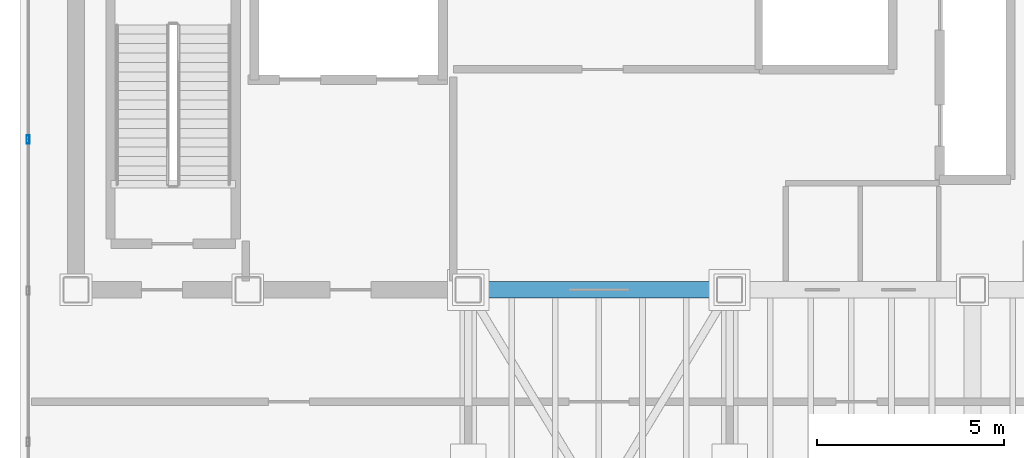
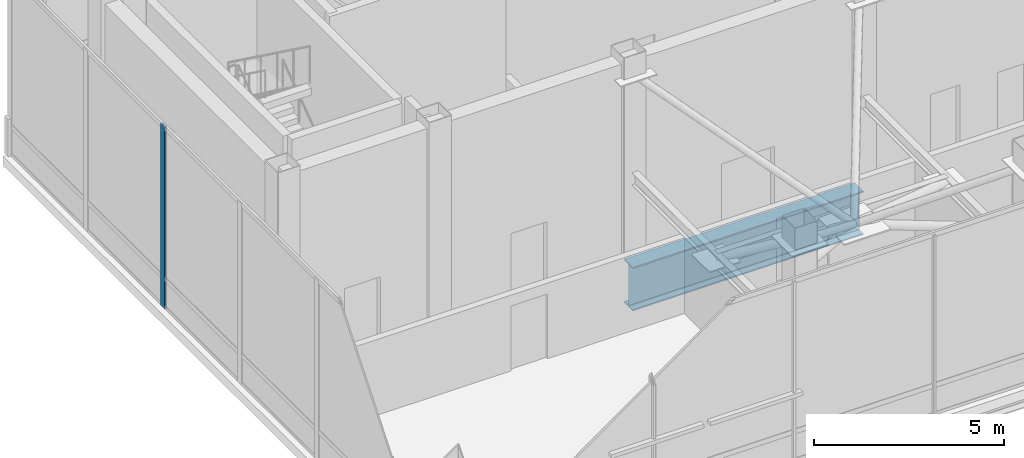
# One storey, part 6 of 19: 1 beam, 1 member, 1 element without a shape of its own.
"""IFC4 building model written with IfcOpenShell, lengths in metres."""

from ifc_helpers import new_model, si_unit, direction, frame, origin, origin_2d, place, context, subcontext, project, spatial, hollow_rectangle, i_section, extrude, material, material_profile, profile_set, type_object, element, aggregate, save


model = new_model("IFC4")

# Units and contexts
model_context = context("Model", 3, precision=1e-05, world=origin(), true_north=direction((0.0, 1.0)))
body_context = subcontext(model_context, "Body", "Model", "MODEL_VIEW")
ifc_project = project(units=[si_unit("LENGTHUNIT", "METRE"), si_unit("AREAUNIT", "SQUARE_METRE"), si_unit("VOLUMEUNIT", "CUBIC_METRE"), si_unit("PLANEANGLEUNIT", "RADIAN"), si_unit("MASSUNIT", "GRAM", prefix="KILO")], contexts=[model_context])

# Site, building, storey
site_placement = place(None, origin())
site = spatial("IfcSite", under=ifc_project, at=site_placement, CompositionType="ELEMENT")
building_placement = place(site_placement, origin())
building = spatial("IfcBuilding", under=site, at=building_placement, Name="Noeulbin Bourse Tower", CompositionType="ELEMENT")
storey_placement = place(building_placement, frame((0.0, 0.0, 306.0)))
storey = spatial("IfcBuildingStorey", under=building, at=storey_placement, Name="L76", CompositionType="ELEMENT", Elevation=306.0)

# Beam
ifc_material_1 = material(Name="Steel S460", Category="steel")
ifc_material_profile_1 = material_profile(ifc_material_1, i_section(OverallWidth=0.449951171875, OverallDepth=1.39990234375, WebThickness=0.02392578125, FlangeThickness=0.0400390625, FilletRadius=0.02392578125, at=origin_2d()), Name="PG-1400x450x24x40", Category="LoadBearing")
ifc_profile_set_1 = profile_set([ifc_material_profile_1], Name="Steel S460")
beam_type = type_object("IfcBeamType", Name="BM-TRF-1400", PredefinedType="USERDEFINED", material=ifc_profile_set_1)
beam_placement = place(storey_placement, frame((24.0, 29.0, -1.0), z_axis=(1.0, 0.0, 0.0), x_axis=(0.0, 1.0, 0.0)))
element("IfcBeam", 1, at=beam_placement, inside=storey, type_object=beam_type, Name="Tower Primary Girder EW L76-2.1", ObjectType="GIRDER", PredefinedType="USERDEFINED", context=body_context, shape_type="SweptSolid", body=[
    extrude(i_section(OverallWidth=0.449951171875, OverallDepth=1.39990234375, WebThickness=0.02392578125, FlangeThickness=0.0400390625, FilletRadius=0.02392578125, at=origin_2d()), origin(), (0.0, 0.0, 1.0), 7.0),
])

# Curtain wall, member
ifc_material_2 = material(Name="Translucent Ceramic-Fritted Glass", Category="glass")
curtain_wall_type = type_object("IfcCurtainWallType", Name="CW-SYS-5", PredefinedType="NOTDEFINED", material=ifc_material_2)
curtain_wall_placement = place(storey_placement, origin())
curtain_wall = element("IfcCurtainWall", 2, at=curtain_wall_placement, inside=storey, type_object=curtain_wall_type, Name="Unitised Curtain Wall CW-L76-W", PredefinedType="NOTDEFINED")
ifc_material_3 = material(Name="Anodised Aluminium 6063-T6", Category="aluminium")
ifc_material_profile_2 = material_profile(ifc_material_3, hollow_rectangle(XDim=0.074951171875, YDim=0.219970703125, WallThickness=0.0048828125, InnerFilletRadius=0.00244140625, OuterFilletRadius=0.0048828125, at=origin_2d()), Name="ALU-MULL-75x220x5", Category="LoadBearing")
ifc_profile_set_2 = profile_set([ifc_material_profile_2], Name="Anodised Aluminium 6063-T6")
member_type = type_object("IfcMemberType", Name="CW-SYS-5-MUL", PredefinedType="MULLION", material=ifc_profile_set_2)
member_placement = place(storey_placement, frame((12.219970703125, 33.02392578125, -0.02001953125), z_axis=(0.0, 0.0, 1.0), x_axis=(1.0, 0.0, 0.0)))
member = element("IfcMember", 3, at=member_placement, type_object=member_type, Name="Curtain Wall Mullion CW-L76-W-M03", PredefinedType="MULLION", context=body_context, shape_type="SweptSolid", body=[
    extrude(hollow_rectangle(XDim=0.074951171875, YDim=0.219970703125, WallThickness=0.0048828125, InnerFilletRadius=0.00244140625, OuterFilletRadius=0.0048828125, at=origin_2d()), origin(), (0.0, 0.0, 1.0), 5.840087890625),
])
aggregate(curtain_wall, [member])

save(model, "model.ifc")
